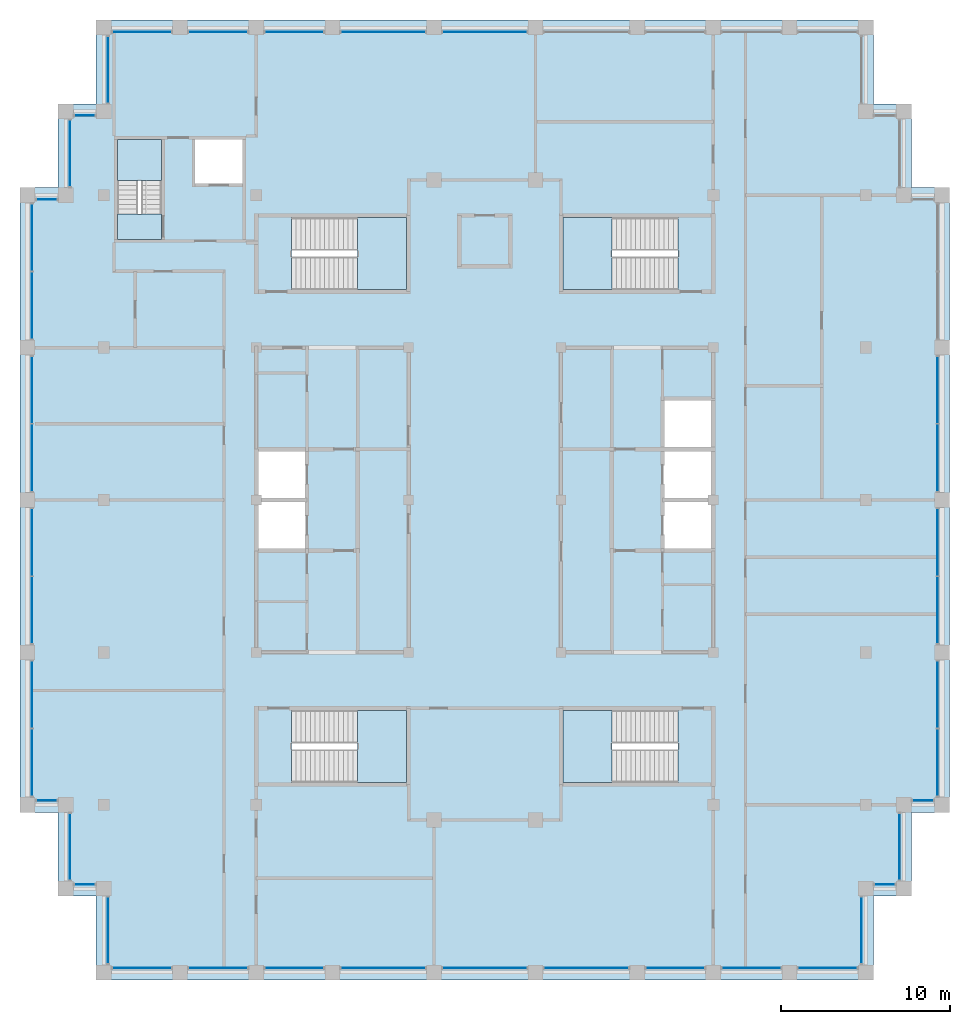
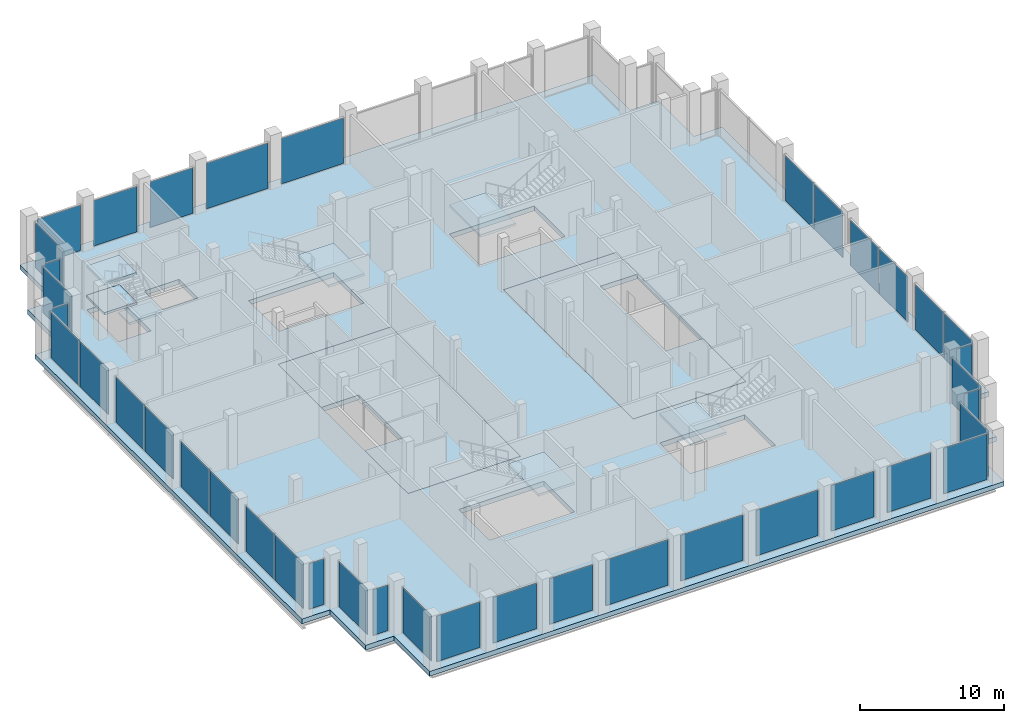
# One storey, part 7 of 13: 40 plates, 10 slabs, 38 elements without a shape of their own.
"""IFC4 building model written with IfcOpenShell, lengths in metres."""

import ifcopenshell
import ifcopenshell.guid

model = None  # the IFC model being written
_history = None  # IfcOwnerHistory: only IFC2X3 demands one
_inside = {}  # id of a spatial element -> (the spatial element, [elements in it])
_under = {}  # id of a project, library or spatial element -> (it, [spatial elements below it])
_declared = {}  # id of a project -> (the project, [libraries it declares])
_typed = {}  # id of a type object -> (the type object, [elements of that type])
_made_of = {}  # id of a material, layer set ... -> (it, [elements and type objects made of it])


def new_model(schema):
    """Start an empty IFC model of exactly this schema.

    Asked for "IFC4X3", IfcOpenShell would pick the latest addendum, in which some entities
    have other attributes; the version numbers below select the first issue.
    IFC2X3 requires an IfcOwnerHistory on every rooted entity: one is made here for all.
    """
    global model, _history
    if schema == "IFC4X3":
        model = ifcopenshell.file(schema_version=(4, 3, 0, 0))
    else:
        model = ifcopenshell.file(schema=schema)
    _inside.clear()
    _under.clear()
    _declared.clear()
    _typed.clear()
    _made_of.clear()
    _history = None
    if model.schema == "IFC2X3":
        org = make("IfcOrganization", Name="unknown")
        user = make(
            "IfcPersonAndOrganization",
            ThePerson=make("IfcPerson", FamilyName="unknown"),
            TheOrganization=org,
        )
        app = make(
            "IfcApplication",
            ApplicationDeveloper=org,
            Version="unknown",
            ApplicationFullName="unknown",
            ApplicationIdentifier="unknown",
        )
        _history = make(
            "IfcOwnerHistory",
            OwningUser=user,
            OwningApplication=app,
            ChangeAction="ADDED",
            CreationDate=0,
        )
    return model


def make(cls, **values):
    """One entity of the class cls with the attributes given. An attribute that is None is left unset."""
    return model.create_entity(
        cls, **{name: value for name, value in values.items() if value is not None}
    )


def rooted(cls, **values):
    """An entity with a GlobalId (a new one), such as an element, a storey or a relation."""
    return make(cls, GlobalId=ifcopenshell.guid.new(), OwnerHistory=_history, **values)


def si_unit(unit_type, name, prefix=None):
    """IfcSIUnit, for example si_unit("LENGTHUNIT", "METRE", prefix="MILLI")."""
    return make("IfcSIUnit", UnitType=unit_type, Prefix=prefix, Name=name)


def assignment(units):
    """IfcUnitAssignment: the units of a project."""
    return None if units is None else make("IfcUnitAssignment", Units=units)


def point(xyz):
    """IfcCartesianPoint."""
    return None if xyz is None else make("IfcCartesianPoint", Coordinates=xyz)


def direction(xyz):
    """IfcDirection."""
    return None if xyz is None else make("IfcDirection", DirectionRatios=xyz)


def frame(location, z_axis=None, x_axis=None):
    """IfcAxis2Placement3D, a coordinate frame: its origin and axes. An axis left out is left unset."""
    return make(
        "IfcAxis2Placement3D",
        Location=point(location),
        Axis=direction(z_axis),
        RefDirection=direction(x_axis),
    )


def frame_2d(location, x_axis=None):
    """IfcAxis2Placement2D, a coordinate frame in the plane: its origin and x axis."""
    return make(
        "IfcAxis2Placement2D", Location=point(location), RefDirection=direction(x_axis)
    )


def origin():
    """The frame at (0, 0, 0) with its axes left unset."""
    return frame((0.0, 0.0, 0.0))


def origin_2d():
    """The frame at (0, 0) in the plane with its x axis left unset."""
    return frame_2d((0.0, 0.0))


def place(relative_to, where):
    """IfcLocalPlacement: puts the frame where relative to a parent placement (None: the world)."""
    return make(
        "IfcLocalPlacement", PlacementRelTo=relative_to, RelativePlacement=where
    )


def context(
    kind, dimensions, precision=None, world=None, true_north=None, identifier=None
):
    """IfcGeometricRepresentationContext, for example the 3D "Model" context."""
    return make(
        "IfcGeometricRepresentationContext",
        ContextIdentifier=identifier,
        ContextType=kind,
        CoordinateSpaceDimension=dimensions,
        Precision=precision,
        WorldCoordinateSystem=world,
        TrueNorth=true_north,
    )


def subcontext(parent, identifier, kind, view, scale=None):
    """IfcGeometricRepresentationSubContext, for example "Body" below "Model"."""
    return make(
        "IfcGeometricRepresentationSubContext",
        ContextIdentifier=identifier,
        ContextType=kind,
        ParentContext=parent,
        TargetScale=scale,
        TargetView=view,
    )


def project(units=None, contexts=None):
    """IfcProject with its units and contexts."""
    return rooted(
        "IfcProject",
        Name="project",
        RepresentationContexts=contexts,
        UnitsInContext=assignment(units),
    )


def spatial(cls, under=None, at=None, **own):
    """A site, building, storey or space (cls), placed at a placement, below another one or the project."""
    s = rooted(cls, ObjectPlacement=at, **own)
    if under is not None:
        _under.setdefault(under.id(), (under, []))[1].append(s)
    return s


def polyline(points):
    """IfcPolyline through the points."""
    return make("IfcPolyline", Points=[point(p) for p in points])


def profile(cls, at=None, kind="AREA", **sizes):
    """A parametric profile (cls). Its sizes go by their IFC names, for example OverallWidth=200.0."""
    return make(cls, ProfileType=kind, Position=at, **sizes)


def rectangle(**sizes):
    """IfcRectangleProfileDef."""
    return profile("IfcRectangleProfileDef", **sizes)


def outline(outer, holes=None, kind="AREA"):
    """IfcArbitraryClosedProfileDef: a profile drawn as a closed curve; with holes, ...WithVoids."""
    if holes is None:
        return make("IfcArbitraryClosedProfileDef", ProfileType=kind, OuterCurve=outer)
    return make(
        "IfcArbitraryProfileDefWithVoids",
        ProfileType=kind,
        OuterCurve=outer,
        InnerCurves=holes,
    )


def extrude(swept, where, along, depth):
    """IfcExtrudedAreaSolid: the profile swept, set in the frame where, extruded along a direction by depth."""
    return make(
        "IfcExtrudedAreaSolid",
        SweptArea=swept,
        Position=where,
        ExtrudedDirection=direction(along),
        Depth=depth,
    )


def shape(context_of_items, identifier, shape_type, items):
    """IfcShapeRepresentation: the items that make up one representation, for example the "Body"."""
    return make(
        "IfcShapeRepresentation",
        ContextOfItems=context_of_items,
        RepresentationIdentifier=identifier,
        RepresentationType=shape_type,
        Items=items,
    )


def material(Name=None, Category=None):
    """IfcMaterial."""
    return make("IfcMaterial", Name=Name, Category=Category)


def layer(
    of_material, thickness, ventilated=None, Name=None, Category=None, Priority=None
):
    """IfcMaterialLayer: one layer of a wall or slab, of a material (None: an air gap)."""
    return make(
        "IfcMaterialLayer",
        Material=of_material,
        LayerThickness=thickness,
        IsVentilated=ventilated,
        Name=Name,
        Category=Category,
        Priority=Priority,
    )


def layer_set(layers, Name=None):
    """IfcMaterialLayerSet."""
    return make("IfcMaterialLayerSet", MaterialLayers=layers, LayerSetName=Name)


def made_of(thing, what):
    """Note that an element or type object is made of a material, layer set ...; save() writes the relation."""
    if what is not None:
        _made_of.setdefault(what.id(), (what, []))[1].append(thing)
    return thing


def type_object(cls, material=None, **own):
    """A type object (cls), such as IfcWallType, which elements share."""
    return made_of(rooted(cls, **own), material)


def element(
    cls,
    number,
    at=None,
    inside=None,
    cuts=None,
    type_object=None,
    material=None,
    context=None,
    identifier="Body",
    shape_type=None,
    held_by="IfcProductDefinitionShape",
    body=None,
    shapes=None,
    **own,
):
    """One element of the class cls, such as IfcWall. Its Tag is "e" and its number.

    at: its placement. inside: the storey or other place that contains it. cuts: it is an
    opening in that element (IfcRelVoidsElement). A single representation is given by context,
    identifier, shape_type and body (its items); several are given by shapes. held_by: the class
    of the entity that holds the representations. save() writes the other relations.
    """
    e = rooted(cls, Tag="e%d" % number, ObjectPlacement=at, **own)
    if body is not None:
        shapes = [shape(context, identifier, shape_type, body)]
    if shapes is not None:
        e.Representation = make(held_by, Representations=shapes)
    if inside is not None:
        _inside.setdefault(inside.id(), (inside, []))[1].append(e)
    if cuts is not None:
        rooted(
            "IfcRelVoidsElement", RelatingBuildingElement=cuts, RelatedOpeningElement=e
        )
    if type_object is not None:
        _typed.setdefault(type_object.id(), (type_object, []))[1].append(e)
    return made_of(e, material)


def aggregate(whole, parts):
    """IfcRelAggregates: a whole, such as a stair, and the parts it consists of."""
    return rooted("IfcRelAggregates", RelatingObject=whole, RelatedObjects=parts)


def save(model, path):
    """Write the relations noted so far, then the file.

    IfcRelAggregates (storeys below a building ...), IfcRelContainedInSpatialStructure (elements
    in a storey), IfcRelDefinesByType, IfcRelAssociatesMaterial and IfcRelDeclares: one each for
    every whole, place, type object, material and project.
    """
    for whole, parts in _under.values():
        aggregate(whole, parts)
    for where, things in _inside.values():
        rooted(
            "IfcRelContainedInSpatialStructure",
            RelatedElements=things,
            RelatingStructure=where,
        )
    for kind, things in _typed.values():
        rooted("IfcRelDefinesByType", RelatedObjects=things, RelatingType=kind)
    for what, things in _made_of.values():
        rooted("IfcRelAssociatesMaterial", RelatedObjects=things, RelatingMaterial=what)
    for by, libraries in _declared.values():
        rooted("IfcRelDeclares", RelatingContext=by, RelatedDefinitions=libraries)
    model.write(path)


model = new_model("IFC4")

# Units and contexts
model_context = context("Model", 3, precision=1e-05, world=origin(), true_north=direction((0.0, 1.0)))
body_context = subcontext(model_context, "Body", "Model", "MODEL_VIEW")
ifc_project = project(units=[si_unit("LENGTHUNIT", "METRE"), si_unit("AREAUNIT", "SQUARE_METRE"), si_unit("VOLUMEUNIT", "CUBIC_METRE"), si_unit("PLANEANGLEUNIT", "RADIAN"), si_unit("MASSUNIT", "GRAM", prefix="KILO")], contexts=[model_context])

# Site, building, storey
site_placement = place(None, origin())
site = spatial("IfcSite", under=ifc_project, at=site_placement, CompositionType="ELEMENT")
building_placement = place(site_placement, origin())
building = spatial("IfcBuilding", under=site, at=building_placement, Name="Corbelhall Arena Tower", CompositionType="ELEMENT")
storey_placement = place(building_placement, frame((0.0, 0.0, 361.0)))
storey = spatial("IfcBuildingStorey", under=building, at=storey_placement, Name="L79", CompositionType="ELEMENT", Elevation=361.0)

# Curtain wall, plate
ifc_material_1 = material(Name="Aluminium black anodised", Category="aluminium")
ifc_layer_1 = layer(ifc_material_1, 0.179931640625)
ifc_layer_set_1 = layer_set([ifc_layer_1], Name="EV-CW3 Crown glazing")
curtain_wall_type = type_object("IfcCurtainWallType", Name="EV-CW3 Crown glazing", PredefinedType="NOTDEFINED", material=ifc_layer_set_1)
curtain_wall_1_placement = place(storey_placement, origin())
curtain_wall_1 = element("IfcCurtainWall", 1, at=curtain_wall_1_placement, inside=storey, type_object=curtain_wall_type, Name="Curtain wall CW3", PredefinedType="NOTDEFINED")
ifc_material_2 = material(Name="Glass dark tinted laminated", Category="glass")
ifc_layer_2 = layer(ifc_material_2, 0.028076171875)
ifc_layer_set_2 = layer_set([ifc_layer_2], Name="EV-CW3-PANEL")
plate_type = type_object("IfcPlateType", Name="EV-CW3-PANEL", PredefinedType="CURTAIN_PANEL", material=ifc_layer_set_2)
plate_1_placement = place(storey_placement, frame((-24.5, 20.47509765625, 0.074951171875), z_axis=(0.0, 0.0, 1.0), x_axis=(0.0, -1.0, 0.0)))
plate_1 = element("IfcPlate", 2, at=plate_1_placement, type_object=plate_type, Name="CW3 panel 1.1", PredefinedType="CURTAIN_PANEL", context=body_context, shape_type="SweptSolid", body=[
    extrude(rectangle(XDim=3.89990234375, YDim=0.028076171875, at=origin_2d()), origin(), (0.0, 0.0, 1.0), 3.849609375),
])
aggregate(curtain_wall_1, [plate_1])

curtain_wall_2_placement = place(storey_placement, origin())
curtain_wall_2 = element("IfcCurtainWall", 3, at=curtain_wall_2_placement, inside=storey, type_object=curtain_wall_type, Name="Curtain wall CW3B", PredefinedType="NOTDEFINED")
plate_2_placement = place(storey_placement, frame((-25.875, 17.75, 0.074951171875), z_axis=(0.0, 0.0, 1.0), x_axis=(-1.0, 0.0, 0.0)))
plate_2 = element("IfcPlate", 4, at=plate_2_placement, type_object=plate_type, Name="CW3B panel 1.1", PredefinedType="CURTAIN_PANEL", context=body_context, shape_type="SweptSolid", body=[
    extrude(rectangle(XDim=1.199951171875, YDim=0.028076171875, at=origin_2d()), origin(), (0.0, 0.0, 1.0), 3.849609375),
])
aggregate(curtain_wall_2, [plate_2])

# Curtain wall, plates
curtain_wall_3_placement = place(storey_placement, origin())
curtain_wall_3 = element("IfcCurtainWall", 5, at=curtain_wall_3_placement, inside=storey, type_object=curtain_wall_type, Name="Curtain wall CW3", PredefinedType="NOTDEFINED")
plate_3_placement = place(storey_placement, frame((-26.75, 15.50634765625, 0.074951171875), z_axis=(0.0, 0.0, 1.0), x_axis=(0.0, -1.0, 0.0)))
plate_3 = element("IfcPlate", 6, at=plate_3_placement, type_object=plate_type, Name="CW3 panel 1.1", PredefinedType="CURTAIN_PANEL", context=body_context, shape_type="SweptSolid", body=[
    extrude(rectangle(XDim=3.9375, YDim=0.028076171875, at=origin_2d()), origin(), (0.0, 0.0, 1.0), 3.849609375),
])
plate_4_placement = place(storey_placement, frame((-26.75, 11.49365234375, 0.074951171875), z_axis=(0.0, 0.0, 1.0), x_axis=(0.0, -1.0, 0.0)))
plate_4 = element("IfcPlate", 7, at=plate_4_placement, type_object=plate_type, Name="CW3 panel 2.1", PredefinedType="CURTAIN_PANEL", context=body_context, shape_type="SweptSolid", body=[
    extrude(rectangle(XDim=3.9375, YDim=0.028076171875, at=origin_2d()), origin(), (0.0, 0.0, 1.0), 3.849609375),
])
aggregate(curtain_wall_3, [plate_3, plate_4])

curtain_wall_4_placement = place(storey_placement, origin())
curtain_wall_4 = element("IfcCurtainWall", 8, at=curtain_wall_4_placement, inside=storey, type_object=curtain_wall_type, Name="Curtain wall CW3", PredefinedType="NOTDEFINED")
plate_5_placement = place(storey_placement, frame((-26.75, 6.50634765625, 0.074951171875), z_axis=(0.0, 0.0, 1.0), x_axis=(0.0, -1.0, 0.0)))
plate_5 = element("IfcPlate", 9, at=plate_5_placement, type_object=plate_type, Name="CW3 panel 1.1", PredefinedType="CURTAIN_PANEL", context=body_context, shape_type="SweptSolid", body=[
    extrude(rectangle(XDim=3.9375, YDim=0.028076171875, at=origin_2d()), origin(), (0.0, 0.0, 1.0), 3.849609375),
])
plate_6_placement = place(storey_placement, frame((-26.75, 2.49365234375, 0.074951171875), z_axis=(0.0, 0.0, 1.0), x_axis=(0.0, -1.0, 0.0)))
plate_6 = element("IfcPlate", 10, at=plate_6_placement, type_object=plate_type, Name="CW3 panel 2.1", PredefinedType="CURTAIN_PANEL", context=body_context, shape_type="SweptSolid", body=[
    extrude(rectangle(XDim=3.9375, YDim=0.028076171875, at=origin_2d()), origin(), (0.0, 0.0, 1.0), 3.849609375),
])
aggregate(curtain_wall_4, [plate_5, plate_6])

curtain_wall_5_placement = place(storey_placement, origin())
curtain_wall_5 = element("IfcCurtainWall", 11, at=curtain_wall_5_placement, inside=storey, type_object=curtain_wall_type, Name="Curtain wall CW3", PredefinedType="NOTDEFINED")
plate_7_placement = place(storey_placement, frame((-26.75, -2.49365234375, 0.074951171875), z_axis=(0.0, 0.0, 1.0), x_axis=(0.0, -1.0, 0.0)))
plate_7 = element("IfcPlate", 12, at=plate_7_placement, type_object=plate_type, Name="CW3 panel 1.1", PredefinedType="CURTAIN_PANEL", context=body_context, shape_type="SweptSolid", body=[
    extrude(rectangle(XDim=3.9375, YDim=0.028076171875, at=origin_2d()), origin(), (0.0, 0.0, 1.0), 3.849609375),
])
plate_8_placement = place(storey_placement, frame((-26.75, -6.50634765625, 0.074951171875), z_axis=(0.0, 0.0, 1.0), x_axis=(0.0, -1.0, 0.0)))
plate_8 = element("IfcPlate", 13, at=plate_8_placement, type_object=plate_type, Name="CW3 panel 2.1", PredefinedType="CURTAIN_PANEL", context=body_context, shape_type="SweptSolid", body=[
    extrude(rectangle(XDim=3.9375, YDim=0.028076171875, at=origin_2d()), origin(), (0.0, 0.0, 1.0), 3.849609375),
])
aggregate(curtain_wall_5, [plate_7, plate_8])

curtain_wall_6_placement = place(storey_placement, origin())
curtain_wall_6 = element("IfcCurtainWall", 14, at=curtain_wall_6_placement, inside=storey, type_object=curtain_wall_type, Name="Curtain wall CW3", PredefinedType="NOTDEFINED")
plate_9_placement = place(storey_placement, frame((-26.75, -11.49365234375, 0.074951171875), z_axis=(0.0, 0.0, 1.0), x_axis=(0.0, -1.0, 0.0)))
plate_9 = element("IfcPlate", 15, at=plate_9_placement, type_object=plate_type, Name="CW3 panel 1.1", PredefinedType="CURTAIN_PANEL", context=body_context, shape_type="SweptSolid", body=[
    extrude(rectangle(XDim=3.9375, YDim=0.028076171875, at=origin_2d()), origin(), (0.0, 0.0, 1.0), 3.849609375),
])
plate_10_placement = place(storey_placement, frame((-26.75, -15.50634765625, 0.074951171875), z_axis=(0.0, 0.0, 1.0), x_axis=(0.0, -1.0, 0.0)))
plate_10 = element("IfcPlate", 16, at=plate_10_placement, type_object=plate_type, Name="CW3 panel 2.1", PredefinedType="CURTAIN_PANEL", context=body_context, shape_type="SweptSolid", body=[
    extrude(rectangle(XDim=3.9375, YDim=0.028076171875, at=origin_2d()), origin(), (0.0, 0.0, 1.0), 3.849609375),
])
aggregate(curtain_wall_6, [plate_9, plate_10])

# Curtain wall, plate
curtain_wall_7_placement = place(storey_placement, origin())
curtain_wall_7 = element("IfcCurtainWall", 17, at=curtain_wall_7_placement, inside=storey, type_object=curtain_wall_type, Name="Curtain wall CW3B", PredefinedType="NOTDEFINED")
plate_11_placement = place(storey_placement, frame((-25.875, -17.75, 0.074951171875), z_axis=(0.0, 0.0, 1.0), x_axis=(1.0, 0.0, 0.0)))
plate_11 = element("IfcPlate", 18, at=plate_11_placement, type_object=plate_type, Name="CW3B panel 1.1", PredefinedType="CURTAIN_PANEL", context=body_context, shape_type="SweptSolid", body=[
    extrude(rectangle(XDim=1.199951171875, YDim=0.028076171875, at=origin_2d()), origin(), (0.0, 0.0, 1.0), 3.849609375),
])
aggregate(curtain_wall_7, [plate_11])

curtain_wall_8_placement = place(storey_placement, origin())
curtain_wall_8 = element("IfcCurtainWall", 19, at=curtain_wall_8_placement, inside=storey, type_object=curtain_wall_type, Name="Curtain wall CW3", PredefinedType="NOTDEFINED")
plate_12_placement = place(storey_placement, frame((-24.5, -20.47509765625, 0.074951171875), z_axis=(0.0, 0.0, 1.0), x_axis=(0.0, -1.0, 0.0)))
plate_12 = element("IfcPlate", 20, at=plate_12_placement, type_object=plate_type, Name="CW3 panel 1.1", PredefinedType="CURTAIN_PANEL", context=body_context, shape_type="SweptSolid", body=[
    extrude(rectangle(XDim=3.89990234375, YDim=0.028076171875, at=origin_2d()), origin(), (0.0, 0.0, 1.0), 3.849609375),
])
aggregate(curtain_wall_8, [plate_12])

curtain_wall_9_placement = place(storey_placement, origin())
curtain_wall_9 = element("IfcCurtainWall", 21, at=curtain_wall_9_placement, inside=storey, type_object=curtain_wall_type, Name="Curtain wall CW3B", PredefinedType="NOTDEFINED")
plate_13_placement = place(storey_placement, frame((-23.625, -22.699951171875, 0.074951171875), z_axis=(0.0, 0.0, 1.0), x_axis=(1.0, 0.0, 0.0)))
plate_13 = element("IfcPlate", 22, at=plate_13_placement, type_object=plate_type, Name="CW3B panel 1.1", PredefinedType="CURTAIN_PANEL", context=body_context, shape_type="SweptSolid", body=[
    extrude(rectangle(XDim=1.199951171875, YDim=0.028076171875, at=origin_2d()), origin(), (0.0, 0.0, 1.0), 3.849609375),
])
aggregate(curtain_wall_9, [plate_13])

curtain_wall_10_placement = place(storey_placement, origin())
curtain_wall_10 = element("IfcCurtainWall", 23, at=curtain_wall_10_placement, inside=storey, type_object=curtain_wall_type, Name="Curtain wall CW3", PredefinedType="NOTDEFINED")
plate_14_placement = place(storey_placement, frame((-22.25, -25.425048828125, 0.074951171875), z_axis=(0.0, 0.0, 1.0), x_axis=(0.0, -1.0, 0.0)))
plate_14 = element("IfcPlate", 24, at=plate_14_placement, type_object=plate_type, Name="CW3 panel 1.1", PredefinedType="CURTAIN_PANEL", context=body_context, shape_type="SweptSolid", body=[
    extrude(rectangle(XDim=3.89990234375, YDim=0.028076171875, at=origin_2d()), origin(), (0.0, 0.0, 1.0), 3.849609375),
])
aggregate(curtain_wall_10, [plate_14])

curtain_wall_11_placement = place(storey_placement, origin())
curtain_wall_11 = element("IfcCurtainWall", 25, at=curtain_wall_11_placement, inside=storey, type_object=curtain_wall_type, Name="Curtain wall CW3A", PredefinedType="NOTDEFINED")
plate_15_placement = place(storey_placement, frame((-20.25, -27.64990234375, 0.074951171875), z_axis=(0.0, 0.0, 1.0), x_axis=(1.0, 0.0, 0.0)))
plate_15 = element("IfcPlate", 26, at=plate_15_placement, type_object=plate_type, Name="CW3A panel 1.1", PredefinedType="CURTAIN_PANEL", context=body_context, shape_type="SweptSolid", body=[
    extrude(rectangle(XDim=3.449951171875, YDim=0.028076171875, at=origin_2d()), origin(), (0.0, 0.0, 1.0), 3.849609375),
])
aggregate(curtain_wall_11, [plate_15])

curtain_wall_12_placement = place(storey_placement, origin())
curtain_wall_12 = element("IfcCurtainWall", 27, at=curtain_wall_12_placement, inside=storey, type_object=curtain_wall_type, Name="Curtain wall CW3A", PredefinedType="NOTDEFINED")
plate_16_placement = place(storey_placement, frame((-15.75, -27.64990234375, 0.074951171875), z_axis=(0.0, 0.0, 1.0), x_axis=(1.0, 0.0, 0.0)))
plate_16 = element("IfcPlate", 28, at=plate_16_placement, type_object=plate_type, Name="CW3A panel 1.1", PredefinedType="CURTAIN_PANEL", context=body_context, shape_type="SweptSolid", body=[
    extrude(rectangle(XDim=3.449951171875, YDim=0.028076171875, at=origin_2d()), origin(), (0.0, 0.0, 1.0), 3.849609375),
])
aggregate(curtain_wall_12, [plate_16])

curtain_wall_13_placement = place(storey_placement, origin())
curtain_wall_13 = element("IfcCurtainWall", 29, at=curtain_wall_13_placement, inside=storey, type_object=curtain_wall_type, Name="Curtain wall CW3A", PredefinedType="NOTDEFINED")
plate_17_placement = place(storey_placement, frame((-11.25, -27.64990234375, 0.074951171875), z_axis=(0.0, 0.0, 1.0), x_axis=(1.0, 0.0, 0.0)))
plate_17 = element("IfcPlate", 30, at=plate_17_placement, type_object=plate_type, Name="CW3A panel 1.1", PredefinedType="CURTAIN_PANEL", context=body_context, shape_type="SweptSolid", body=[
    extrude(rectangle(XDim=3.449951171875, YDim=0.028076171875, at=origin_2d()), origin(), (0.0, 0.0, 1.0), 3.849609375),
])
aggregate(curtain_wall_13, [plate_17])

curtain_wall_14_placement = place(storey_placement, origin())
curtain_wall_14 = element("IfcCurtainWall", 31, at=curtain_wall_14_placement, inside=storey, type_object=curtain_wall_type, Name="Curtain wall CW3C", PredefinedType="NOTDEFINED")
plate_18_placement = place(storey_placement, frame((-6.0, -27.64990234375, 0.074951171875), z_axis=(0.0, 0.0, 1.0), x_axis=(1.0, 0.0, 0.0)))
plate_18 = element("IfcPlate", 32, at=plate_18_placement, type_object=plate_type, Name="CW3C panel 1.1", PredefinedType="CURTAIN_PANEL", context=body_context, shape_type="SweptSolid", body=[
    extrude(rectangle(XDim=4.949951171875, YDim=0.028076171875, at=origin_2d()), origin(), (0.0, 0.0, 1.0), 3.849609375),
])
aggregate(curtain_wall_14, [plate_18])

curtain_wall_15_placement = place(storey_placement, origin())
curtain_wall_15 = element("IfcCurtainWall", 33, at=curtain_wall_15_placement, inside=storey, type_object=curtain_wall_type, Name="Curtain wall CW3C", PredefinedType="NOTDEFINED")
plate_19_placement = place(storey_placement, frame((0.0, -27.64990234375, 0.074951171875), z_axis=(0.0, 0.0, 1.0), x_axis=(1.0, 0.0, 0.0)))
plate_19 = element("IfcPlate", 34, at=plate_19_placement, type_object=plate_type, Name="CW3C panel 1.1", PredefinedType="CURTAIN_PANEL", context=body_context, shape_type="SweptSolid", body=[
    extrude(rectangle(XDim=4.949951171875, YDim=0.028076171875, at=origin_2d()), origin(), (0.0, 0.0, 1.0), 3.849609375),
])
aggregate(curtain_wall_15, [plate_19])

curtain_wall_16_placement = place(storey_placement, origin())
curtain_wall_16 = element("IfcCurtainWall", 35, at=curtain_wall_16_placement, inside=storey, type_object=curtain_wall_type, Name="Curtain wall CW3C", PredefinedType="NOTDEFINED")
plate_20_placement = place(storey_placement, frame((6.0, -27.64990234375, 0.074951171875), z_axis=(0.0, 0.0, 1.0), x_axis=(1.0, 0.0, 0.0)))
plate_20 = element("IfcPlate", 36, at=plate_20_placement, type_object=plate_type, Name="CW3C panel 1.1", PredefinedType="CURTAIN_PANEL", context=body_context, shape_type="SweptSolid", body=[
    extrude(rectangle(XDim=4.949951171875, YDim=0.028076171875, at=origin_2d()), origin(), (0.0, 0.0, 1.0), 3.849609375),
])
aggregate(curtain_wall_16, [plate_20])

curtain_wall_17_placement = place(storey_placement, origin())
curtain_wall_17 = element("IfcCurtainWall", 37, at=curtain_wall_17_placement, inside=storey, type_object=curtain_wall_type, Name="Curtain wall CW3A", PredefinedType="NOTDEFINED")
plate_21_placement = place(storey_placement, frame((11.25, -27.64990234375, 0.074951171875), z_axis=(0.0, 0.0, 1.0), x_axis=(1.0, 0.0, 0.0)))
plate_21 = element("IfcPlate", 38, at=plate_21_placement, type_object=plate_type, Name="CW3A panel 1.1", PredefinedType="CURTAIN_PANEL", context=body_context, shape_type="SweptSolid", body=[
    extrude(rectangle(XDim=3.449951171875, YDim=0.028076171875, at=origin_2d()), origin(), (0.0, 0.0, 1.0), 3.849609375),
])
aggregate(curtain_wall_17, [plate_21])

curtain_wall_18_placement = place(storey_placement, origin())
curtain_wall_18 = element("IfcCurtainWall", 39, at=curtain_wall_18_placement, inside=storey, type_object=curtain_wall_type, Name="Curtain wall CW3A", PredefinedType="NOTDEFINED")
plate_22_placement = place(storey_placement, frame((15.75, -27.64990234375, 0.074951171875), z_axis=(0.0, 0.0, 1.0), x_axis=(1.0, 0.0, 0.0)))
plate_22 = element("IfcPlate", 40, at=plate_22_placement, type_object=plate_type, Name="CW3A panel 1.1", PredefinedType="CURTAIN_PANEL", context=body_context, shape_type="SweptSolid", body=[
    extrude(rectangle(XDim=3.449951171875, YDim=0.028076171875, at=origin_2d()), origin(), (0.0, 0.0, 1.0), 3.849609375),
])
aggregate(curtain_wall_18, [plate_22])

curtain_wall_19_placement = place(storey_placement, origin())
curtain_wall_19 = element("IfcCurtainWall", 41, at=curtain_wall_19_placement, inside=storey, type_object=curtain_wall_type, Name="Curtain wall CW3A", PredefinedType="NOTDEFINED")
plate_23_placement = place(storey_placement, frame((20.25, -27.64990234375, 0.074951171875), z_axis=(0.0, 0.0, 1.0), x_axis=(1.0, 0.0, 0.0)))
plate_23 = element("IfcPlate", 42, at=plate_23_placement, type_object=plate_type, Name="CW3A panel 1.1", PredefinedType="CURTAIN_PANEL", context=body_context, shape_type="SweptSolid", body=[
    extrude(rectangle(XDim=3.449951171875, YDim=0.028076171875, at=origin_2d()), origin(), (0.0, 0.0, 1.0), 3.849609375),
])
aggregate(curtain_wall_19, [plate_23])

curtain_wall_20_placement = place(storey_placement, origin())
curtain_wall_20 = element("IfcCurtainWall", 43, at=curtain_wall_20_placement, inside=storey, type_object=curtain_wall_type, Name="Curtain wall CW3", PredefinedType="NOTDEFINED")
plate_24_placement = place(storey_placement, frame((22.25, -25.425048828125, 0.074951171875), z_axis=(0.0, 0.0, 1.0), x_axis=(0.0, 1.0, 0.0)))
plate_24 = element("IfcPlate", 44, at=plate_24_placement, type_object=plate_type, Name="CW3 panel 1.1", PredefinedType="CURTAIN_PANEL", context=body_context, shape_type="SweptSolid", body=[
    extrude(rectangle(XDim=3.89990234375, YDim=0.028076171875, at=origin_2d()), origin(), (0.0, 0.0, 1.0), 3.849609375),
])
aggregate(curtain_wall_20, [plate_24])

curtain_wall_21_placement = place(storey_placement, origin())
curtain_wall_21 = element("IfcCurtainWall", 45, at=curtain_wall_21_placement, inside=storey, type_object=curtain_wall_type, Name="Curtain wall CW3B", PredefinedType="NOTDEFINED")
plate_25_placement = place(storey_placement, frame((23.625, -22.699951171875, 0.074951171875), z_axis=(0.0, 0.0, 1.0), x_axis=(1.0, 0.0, 0.0)))
plate_25 = element("IfcPlate", 46, at=plate_25_placement, type_object=plate_type, Name="CW3B panel 1.1", PredefinedType="CURTAIN_PANEL", context=body_context, shape_type="SweptSolid", body=[
    extrude(rectangle(XDim=1.199951171875, YDim=0.028076171875, at=origin_2d()), origin(), (0.0, 0.0, 1.0), 3.849609375),
])
aggregate(curtain_wall_21, [plate_25])

curtain_wall_22_placement = place(storey_placement, origin())
curtain_wall_22 = element("IfcCurtainWall", 47, at=curtain_wall_22_placement, inside=storey, type_object=curtain_wall_type, Name="Curtain wall CW3", PredefinedType="NOTDEFINED")
plate_26_placement = place(storey_placement, frame((24.5, -20.47509765625, 0.074951171875), z_axis=(0.0, 0.0, 1.0), x_axis=(0.0, 1.0, 0.0)))
plate_26 = element("IfcPlate", 48, at=plate_26_placement, type_object=plate_type, Name="CW3 panel 1.1", PredefinedType="CURTAIN_PANEL", context=body_context, shape_type="SweptSolid", body=[
    extrude(rectangle(XDim=3.89990234375, YDim=0.028076171875, at=origin_2d()), origin(), (0.0, 0.0, 1.0), 3.849609375),
])
aggregate(curtain_wall_22, [plate_26])

curtain_wall_23_placement = place(storey_placement, origin())
curtain_wall_23 = element("IfcCurtainWall", 49, at=curtain_wall_23_placement, inside=storey, type_object=curtain_wall_type, Name="Curtain wall CW3B", PredefinedType="NOTDEFINED")
plate_27_placement = place(storey_placement, frame((25.875, -17.75, 0.074951171875), z_axis=(0.0, 0.0, 1.0), x_axis=(1.0, 0.0, 0.0)))
plate_27 = element("IfcPlate", 50, at=plate_27_placement, type_object=plate_type, Name="CW3B panel 1.1", PredefinedType="CURTAIN_PANEL", context=body_context, shape_type="SweptSolid", body=[
    extrude(rectangle(XDim=1.199951171875, YDim=0.028076171875, at=origin_2d()), origin(), (0.0, 0.0, 1.0), 3.849609375),
])
aggregate(curtain_wall_23, [plate_27])

# Curtain wall, plates
curtain_wall_24_placement = place(storey_placement, origin())
curtain_wall_24 = element("IfcCurtainWall", 51, at=curtain_wall_24_placement, inside=storey, type_object=curtain_wall_type, Name="Curtain wall CW3", PredefinedType="NOTDEFINED")
plate_28_placement = place(storey_placement, frame((26.75, -15.50634765625, 0.074951171875), z_axis=(0.0, 0.0, 1.0), x_axis=(0.0, 1.0, 0.0)))
plate_28 = element("IfcPlate", 52, at=plate_28_placement, type_object=plate_type, Name="CW3 panel 1.1", PredefinedType="CURTAIN_PANEL", context=body_context, shape_type="SweptSolid", body=[
    extrude(rectangle(XDim=3.9375, YDim=0.028076171875, at=origin_2d()), origin(), (0.0, 0.0, 1.0), 3.849609375),
])
plate_29_placement = place(storey_placement, frame((26.75, -11.49365234375, 0.074951171875), z_axis=(0.0, 0.0, 1.0), x_axis=(0.0, 1.0, 0.0)))
plate_29 = element("IfcPlate", 53, at=plate_29_placement, type_object=plate_type, Name="CW3 panel 2.1", PredefinedType="CURTAIN_PANEL", context=body_context, shape_type="SweptSolid", body=[
    extrude(rectangle(XDim=3.9375, YDim=0.028076171875, at=origin_2d()), origin(), (0.0, 0.0, 1.0), 3.849609375),
])
aggregate(curtain_wall_24, [plate_28, plate_29])

curtain_wall_25_placement = place(storey_placement, origin())
curtain_wall_25 = element("IfcCurtainWall", 54, at=curtain_wall_25_placement, inside=storey, type_object=curtain_wall_type, Name="Curtain wall CW3", PredefinedType="NOTDEFINED")
plate_30_placement = place(storey_placement, frame((26.75, -6.50634765625, 0.074951171875), z_axis=(0.0, 0.0, 1.0), x_axis=(0.0, 1.0, 0.0)))
plate_30 = element("IfcPlate", 55, at=plate_30_placement, type_object=plate_type, Name="CW3 panel 1.1", PredefinedType="CURTAIN_PANEL", context=body_context, shape_type="SweptSolid", body=[
    extrude(rectangle(XDim=3.9375, YDim=0.028076171875, at=origin_2d()), origin(), (0.0, 0.0, 1.0), 3.849609375),
])
plate_31_placement = place(storey_placement, frame((26.75, -2.49365234375, 0.074951171875), z_axis=(0.0, 0.0, 1.0), x_axis=(0.0, 1.0, 0.0)))
plate_31 = element("IfcPlate", 56, at=plate_31_placement, type_object=plate_type, Name="CW3 panel 2.1", PredefinedType="CURTAIN_PANEL", context=body_context, shape_type="SweptSolid", body=[
    extrude(rectangle(XDim=3.9375, YDim=0.028076171875, at=origin_2d()), origin(), (0.0, 0.0, 1.0), 3.849609375),
])
aggregate(curtain_wall_25, [plate_30, plate_31])

curtain_wall_26_placement = place(storey_placement, origin())
curtain_wall_26 = element("IfcCurtainWall", 57, at=curtain_wall_26_placement, inside=storey, type_object=curtain_wall_type, Name="Curtain wall CW3", PredefinedType="NOTDEFINED")
plate_32_placement = place(storey_placement, frame((26.75, 2.49365234375, 0.074951171875), z_axis=(0.0, 0.0, 1.0), x_axis=(0.0, 1.0, 0.0)))
plate_32 = element("IfcPlate", 58, at=plate_32_placement, type_object=plate_type, Name="CW3 panel 1.1", PredefinedType="CURTAIN_PANEL", context=body_context, shape_type="SweptSolid", body=[
    extrude(rectangle(XDim=3.9375, YDim=0.028076171875, at=origin_2d()), origin(), (0.0, 0.0, 1.0), 3.849609375),
])
plate_33_placement = place(storey_placement, frame((26.75, 6.50634765625, 0.074951171875), z_axis=(0.0, 0.0, 1.0), x_axis=(0.0, 1.0, 0.0)))
plate_33 = element("IfcPlate", 59, at=plate_33_placement, type_object=plate_type, Name="CW3 panel 2.1", PredefinedType="CURTAIN_PANEL", context=body_context, shape_type="SweptSolid", body=[
    extrude(rectangle(XDim=3.9375, YDim=0.028076171875, at=origin_2d()), origin(), (0.0, 0.0, 1.0), 3.849609375),
])
aggregate(curtain_wall_26, [plate_32, plate_33])

# Curtain wall, plate
curtain_wall_27_placement = place(storey_placement, origin())
curtain_wall_27 = element("IfcCurtainWall", 60, at=curtain_wall_27_placement, inside=storey, type_object=curtain_wall_type, Name="Curtain wall CW3C", PredefinedType="NOTDEFINED")
plate_34_placement = place(storey_placement, frame((0.0, 27.64990234375, 0.074951171875), z_axis=(0.0, 0.0, 1.0), x_axis=(-1.0, 0.0, 0.0)))
plate_34 = element("IfcPlate", 61, at=plate_34_placement, type_object=plate_type, Name="CW3C panel 1.1", PredefinedType="CURTAIN_PANEL", context=body_context, shape_type="SweptSolid", body=[
    extrude(rectangle(XDim=4.949951171875, YDim=0.028076171875, at=origin_2d()), origin(), (0.0, 0.0, 1.0), 3.849609375),
])
aggregate(curtain_wall_27, [plate_34])

curtain_wall_28_placement = place(storey_placement, origin())
curtain_wall_28 = element("IfcCurtainWall", 62, at=curtain_wall_28_placement, inside=storey, type_object=curtain_wall_type, Name="Curtain wall CW3C", PredefinedType="NOTDEFINED")
plate_35_placement = place(storey_placement, frame((-6.0, 27.64990234375, 0.074951171875), z_axis=(0.0, 0.0, 1.0), x_axis=(-1.0, 0.0, 0.0)))
plate_35 = element("IfcPlate", 63, at=plate_35_placement, type_object=plate_type, Name="CW3C panel 1.1", PredefinedType="CURTAIN_PANEL", context=body_context, shape_type="SweptSolid", body=[
    extrude(rectangle(XDim=4.949951171875, YDim=0.028076171875, at=origin_2d()), origin(), (0.0, 0.0, 1.0), 3.849609375),
])
aggregate(curtain_wall_28, [plate_35])

curtain_wall_29_placement = place(storey_placement, origin())
curtain_wall_29 = element("IfcCurtainWall", 64, at=curtain_wall_29_placement, inside=storey, type_object=curtain_wall_type, Name="Curtain wall CW3A", PredefinedType="NOTDEFINED")
plate_36_placement = place(storey_placement, frame((-11.25, 27.64990234375, 0.074951171875), z_axis=(0.0, 0.0, 1.0), x_axis=(-1.0, 0.0, 0.0)))
plate_36 = element("IfcPlate", 65, at=plate_36_placement, type_object=plate_type, Name="CW3A panel 1.1", PredefinedType="CURTAIN_PANEL", context=body_context, shape_type="SweptSolid", body=[
    extrude(rectangle(XDim=3.449951171875, YDim=0.028076171875, at=origin_2d()), origin(), (0.0, 0.0, 1.0), 3.849609375),
])
aggregate(curtain_wall_29, [plate_36])

curtain_wall_30_placement = place(storey_placement, origin())
curtain_wall_30 = element("IfcCurtainWall", 66, at=curtain_wall_30_placement, inside=storey, type_object=curtain_wall_type, Name="Curtain wall CW3A", PredefinedType="NOTDEFINED")
plate_37_placement = place(storey_placement, frame((-15.75, 27.64990234375, 0.074951171875), z_axis=(0.0, 0.0, 1.0), x_axis=(-1.0, 0.0, 0.0)))
plate_37 = element("IfcPlate", 67, at=plate_37_placement, type_object=plate_type, Name="CW3A panel 1.1", PredefinedType="CURTAIN_PANEL", context=body_context, shape_type="SweptSolid", body=[
    extrude(rectangle(XDim=3.449951171875, YDim=0.028076171875, at=origin_2d()), origin(), (0.0, 0.0, 1.0), 3.849609375),
])
aggregate(curtain_wall_30, [plate_37])

curtain_wall_31_placement = place(storey_placement, origin())
curtain_wall_31 = element("IfcCurtainWall", 68, at=curtain_wall_31_placement, inside=storey, type_object=curtain_wall_type, Name="Curtain wall CW3A", PredefinedType="NOTDEFINED")
plate_38_placement = place(storey_placement, frame((-20.25, 27.64990234375, 0.074951171875), z_axis=(0.0, 0.0, 1.0), x_axis=(-1.0, 0.0, 0.0)))
plate_38 = element("IfcPlate", 69, at=plate_38_placement, type_object=plate_type, Name="CW3A panel 1.1", PredefinedType="CURTAIN_PANEL", context=body_context, shape_type="SweptSolid", body=[
    extrude(rectangle(XDim=3.449951171875, YDim=0.028076171875, at=origin_2d()), origin(), (0.0, 0.0, 1.0), 3.849609375),
])
aggregate(curtain_wall_31, [plate_38])

curtain_wall_32_placement = place(storey_placement, origin())
curtain_wall_32 = element("IfcCurtainWall", 70, at=curtain_wall_32_placement, inside=storey, type_object=curtain_wall_type, Name="Curtain wall CW3", PredefinedType="NOTDEFINED")
plate_39_placement = place(storey_placement, frame((-22.25, 25.425048828125, 0.074951171875), z_axis=(0.0, 0.0, 1.0), x_axis=(0.0, -1.0, 0.0)))
plate_39 = element("IfcPlate", 71, at=plate_39_placement, type_object=plate_type, Name="CW3 panel 1.1", PredefinedType="CURTAIN_PANEL", context=body_context, shape_type="SweptSolid", body=[
    extrude(rectangle(XDim=3.89990234375, YDim=0.028076171875, at=origin_2d()), origin(), (0.0, 0.0, 1.0), 3.849609375),
])
aggregate(curtain_wall_32, [plate_39])

curtain_wall_33_placement = place(storey_placement, origin())
curtain_wall_33 = element("IfcCurtainWall", 72, at=curtain_wall_33_placement, inside=storey, type_object=curtain_wall_type, Name="Curtain wall CW3B", PredefinedType="NOTDEFINED")
plate_40_placement = place(storey_placement, frame((-23.625, 22.699951171875, 0.074951171875), z_axis=(0.0, 0.0, 1.0), x_axis=(-1.0, 0.0, 0.0)))
plate_40 = element("IfcPlate", 73, at=plate_40_placement, type_object=plate_type, Name="CW3B panel 1.1", PredefinedType="CURTAIN_PANEL", context=body_context, shape_type="SweptSolid", body=[
    extrude(rectangle(XDim=1.199951171875, YDim=0.028076171875, at=origin_2d()), origin(), (0.0, 0.0, 1.0), 3.849609375),
])
aggregate(curtain_wall_33, [plate_40])

# Slabs
ifc_material_3 = material(Name="Concrete C40/50", Category="concrete")
ifc_layer_3 = layer(ifc_material_3, 0.300048828125)
ifc_layer_set_3 = layer_set([ifc_layer_3], Name="IN-SL-CORE")
slab_type_1 = type_object("IfcSlabType", Name="IN-SL-CORE", PredefinedType="FLOOR", material=ifc_layer_set_3)
slab_1_placement = place(storey_placement, frame((0.0, 0.0, -0.400390625)))
element("IfcSlab", 74, at=slab_1_placement, inside=storey, type_object=slab_type_1, Name="Core floor W", PredefinedType="FLOOR", context=body_context, shape_type="SweptSolid", body=[
    extrude(outline(polyline([(-4.5, 9.0), (-13.5, 9.0), (-13.5, 3.0), (-10.5, 3.0), (-10.5, 0.0), (-10.5, -3.0), (-13.5, -3.0), (-13.5, -9.0), (-4.5, -9.0), (-4.5, 9.0)])), origin(), (0.0, 0.0, 1.0), 0.400390625),
])
slab_2_placement = place(storey_placement, frame((0.0, 0.0, -0.400390625)))
element("IfcSlab", 75, at=slab_2_placement, inside=storey, type_object=slab_type_1, Name="Core floor E", PredefinedType="FLOOR", context=body_context, shape_type="SweptSolid", body=[
    extrude(outline(polyline([(4.5, 9.0), (4.5, -9.0), (13.5, -9.0), (13.5, -3.0), (10.5, -3.0), (10.5, 0.0), (10.5, 3.0), (10.5, 6.0), (13.5, 6.0), (13.5, 9.0), (4.5, 9.0)])), origin(), (0.0, 0.0, 1.0), 0.400390625),
])

# Stair, slab
stair_type = type_object("IfcStairType", Name="IN-ST-TOWER", PredefinedType="HALF_TURN_STAIR", material=ifc_material_3)
stair_1_placement = place(storey_placement, origin())
stair_1 = element("IfcStair", 76, at=stair_1_placement, inside=storey, type_object=stair_type, Name="L79 Exit stair ST1", PredefinedType="HALF_TURN_STAIR")
ifc_layer_4 = layer(ifc_material_3, 0.199951171875)
ifc_layer_set_4 = layer_set([ifc_layer_4], Name="IN-SL-LANDING")
slab_type_2 = type_object("IfcSlabType", Name="IN-SL-LANDING", PredefinedType="LANDING", material=ifc_layer_set_4)
slab_3_placement = place(storey_placement, frame((0.0, 0.0, 2.300048828125)))
slab_3 = element("IfcSlab", 77, at=slab_3_placement, type_object=slab_type_2, Name="ST1 landing 1", PredefinedType="LANDING", context=body_context, shape_type="SweptSolid", body=[
    extrude(outline(polyline([(-7.5048828125, 12.425048828125), (-4.625, 12.425048828125), (-4.625, 16.675048828125), (-7.5048828125, 16.675048828125), (-7.5048828125, 12.425048828125)])), origin(), (0.0, 0.0, 1.0), 0.199951171875),
])
aggregate(stair_1, [slab_3])

stair_2_placement = place(storey_placement, origin())
stair_2 = element("IfcStair", 78, at=stair_2_placement, inside=storey, type_object=stair_type, Name="L79 Exit stair ST2", PredefinedType="HALF_TURN_STAIR")
slab_4_placement = place(storey_placement, frame((0.0, 0.0, 2.300048828125)))
slab_4 = element("IfcSlab", 79, at=slab_4_placement, type_object=slab_type_2, Name="ST2 landing 1", PredefinedType="LANDING", context=body_context, shape_type="SweptSolid", body=[
    extrude(outline(polyline([(-7.5048828125, -16.675048828125), (-4.625, -16.675048828125), (-4.625, -12.425048828125), (-7.5048828125, -12.425048828125), (-7.5048828125, -16.675048828125)])), origin(), (0.0, 0.0, 1.0), 0.199951171875),
])
aggregate(stair_2, [slab_4])

stair_3_placement = place(storey_placement, origin())
stair_3 = element("IfcStair", 80, at=stair_3_placement, inside=storey, type_object=stair_type, Name="L79 Exit stair ST3", PredefinedType="HALF_TURN_STAIR")
slab_5_placement = place(storey_placement, frame((0.0, 0.0, 2.300048828125)))
slab_5 = element("IfcSlab", 81, at=slab_5_placement, type_object=slab_type_2, Name="ST3 landing 1", PredefinedType="LANDING", context=body_context, shape_type="SweptSolid", body=[
    extrude(outline(polyline([(7.5048828125, 16.675048828125), (4.625, 16.675048828125), (4.625, 12.425048828125), (7.5048828125, 12.425048828125), (7.5048828125, 16.675048828125)])), origin(), (0.0, 0.0, 1.0), 0.199951171875),
])
aggregate(stair_3, [slab_5])

stair_4_placement = place(storey_placement, origin())
stair_4 = element("IfcStair", 82, at=stair_4_placement, inside=storey, type_object=stair_type, Name="L79 Exit stair ST4", PredefinedType="HALF_TURN_STAIR")
slab_6_placement = place(storey_placement, frame((0.0, 0.0, 2.300048828125)))
slab_6 = element("IfcSlab", 83, at=slab_6_placement, type_object=slab_type_2, Name="ST4 landing 1", PredefinedType="LANDING", context=body_context, shape_type="SweptSolid", body=[
    extrude(outline(polyline([(7.5048828125, -12.425048828125), (4.625, -12.425048828125), (4.625, -16.675048828125), (7.5048828125, -16.675048828125), (7.5048828125, -12.425048828125)])), origin(), (0.0, 0.0, 1.0), 0.199951171875),
])
aggregate(stair_4, [slab_6])

# Stair, slabs
stair_5_placement = place(storey_placement, origin())
stair_5 = element("IfcStair", 84, at=stair_5_placement, inside=storey, type_object=stair_type, Name="L79 Exit stair ST5", PredefinedType="HALF_TURN_STAIR")
slab_7_placement = place(storey_placement, frame((0.0, 0.0, 1.050048828125)))
slab_7 = element("IfcSlab", 85, at=slab_7_placement, type_object=slab_type_2, Name="ST5 landing 1", PredefinedType="LANDING", context=body_context, shape_type="SweptSolid", body=[
    extrude(outline(polyline([(-19.094970703125, 18.860107421875), (-19.094970703125, 21.300048828125), (-21.695068359375, 21.300048828125), (-21.695068359375, 18.860107421875), (-19.094970703125, 18.860107421875)])), origin(), (0.0, 0.0, 1.0), 0.199951171875),
])
slab_8_placement = place(storey_placement, frame((0.0, 0.0, 2.300048828125)))
slab_8 = element("IfcSlab", 86, at=slab_8_placement, type_object=slab_type_2, Name="ST5 landing 2", PredefinedType="LANDING", context=body_context, shape_type="SweptSolid", body=[
    extrude(outline(polyline([(-19.094970703125, 15.39990234375), (-19.094970703125, 16.89990234375), (-21.695068359375, 16.89990234375), (-21.695068359375, 15.39990234375), (-19.094970703125, 15.39990234375)])), origin(), (0.0, 0.0, 1.0), 0.199951171875),
])
slab_9_placement = place(storey_placement, frame((0.0, 0.0, 3.550048828125)))
slab_9 = element("IfcSlab", 87, at=slab_9_placement, type_object=slab_type_2, Name="ST5 landing 3", PredefinedType="LANDING", context=body_context, shape_type="SweptSolid", body=[
    extrude(outline(polyline([(-19.094970703125, 18.860107421875), (-19.094970703125, 21.300048828125), (-21.695068359375, 21.300048828125), (-21.695068359375, 18.860107421875), (-19.094970703125, 18.860107421875)])), origin(), (0.0, 0.0, 1.0), 0.199951171875),
])
aggregate(stair_5, [slab_7, slab_8, slab_9])

# Slab
ifc_layer_5 = layer(ifc_material_3, 0.400390625)
ifc_layer_set_5 = layer_set([ifc_layer_5], Name="ST-SLAB-FLOOR-400")
slab_type_3 = type_object("IfcSlabType", Name="ST-SLAB-FLOOR-400", PredefinedType="FLOOR", material=ifc_layer_set_5)
slab_10_placement = place(storey_placement, frame((0.0, 0.0, -0.400390625)))
element("IfcSlab", 88, at=slab_10_placement, inside=storey, type_object=slab_type_3, Name="Floor slab L79 1", PredefinedType="FLOOR", context=body_context, shape_type="SweptSolid", body=[
    extrude(outline(polyline([(27.449951171875, 18.449951171875), (25.199951171875, 18.449951171875), (25.199951171875, 23.39990234375), (22.949951171875, 23.39990234375), (22.949951171875, 28.35009765625), (-22.949951171875, 28.35009765625), (-22.949951171875, 23.39990234375), (-25.199951171875, 23.39990234375), (-25.199951171875, 18.449951171875), (-27.449951171875, 18.449951171875), (-27.449951171875, -18.449951171875), (-25.199951171875, -18.449951171875), (-25.199951171875, -23.39990234375), (-22.949951171875, -23.39990234375), (-22.949951171875, -28.35009765625), (22.949951171875, -28.35009765625), (22.949951171875, -23.39990234375), (25.199951171875, -23.39990234375), (25.199951171875, -18.449951171875), (27.449951171875, -18.449951171875), (27.449951171875, 18.449951171875)]), holes=[polyline([(-13.5, 9.0), (-13.5, -9.0), (-4.5, -9.0), (-4.5, 9.0), (-13.5, 9.0)]), polyline([(4.5, 9.0), (4.5, -9.0), (13.5, -9.0), (13.5, 9.0), (4.5, 9.0)]), polyline([(-4.625, 16.675048828125), (-11.422119140625, 16.675048828125), (-11.422119140625, 12.425048828125), (-4.625, 12.425048828125), (-4.625, 16.675048828125)]), polyline([(-4.625, -16.675048828125), (-4.625, -12.425048828125), (-11.422119140625, -12.425048828125), (-11.422119140625, -16.675048828125), (-4.625, -16.675048828125)]), polyline([(11.422119140625, 16.675048828125), (4.625, 16.675048828125), (4.625, 12.425048828125), (11.422119140625, 12.425048828125), (11.422119140625, 16.675048828125)]), polyline([(11.422119140625, -16.675048828125), (11.422119140625, -12.425048828125), (4.625, -12.425048828125), (4.625, -16.675048828125), (11.422119140625, -16.675048828125)]), polyline([(-21.695068359375, 21.300048828125), (-21.695068359375, 16.903076171875), (-19.094970703125, 16.903076171875), (-19.094970703125, 21.300048828125), (-21.695068359375, 21.300048828125)]), polyline([(-14.300048828125, 21.300048828125), (-17.10009765625, 21.300048828125), (-17.10009765625, 18.699951171875), (-14.300048828125, 18.699951171875), (-14.300048828125, 21.300048828125)])]), origin(), (0.0, 0.0, 1.0), 0.400390625),
])

save(model, "model.ifc")
